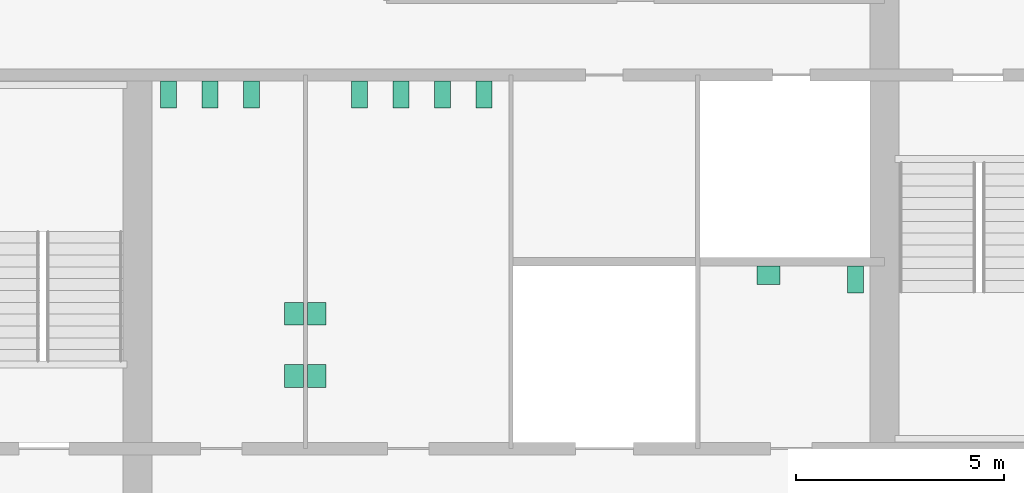
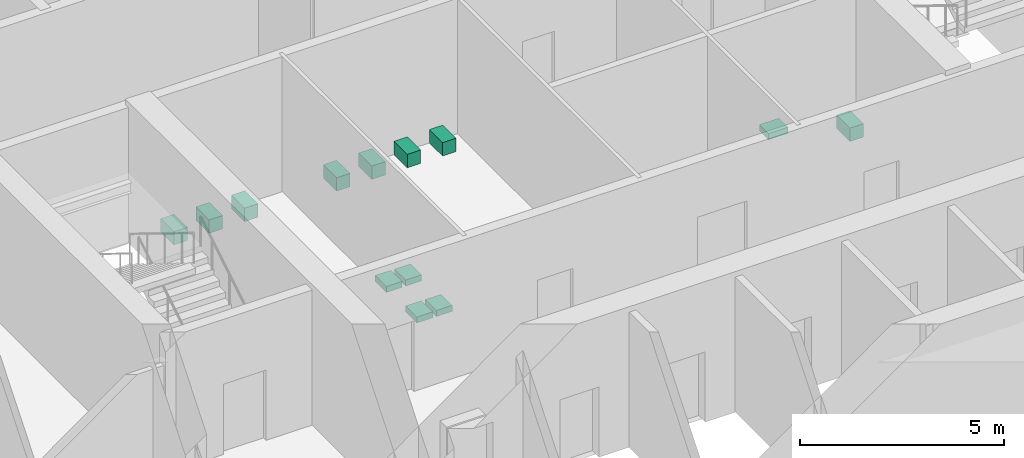
# One storey, part 12 of 12: 13 sanitary terminals.
"""IFC4 building model written with IfcOpenShell, lengths in metres."""

from ifc_helpers import new_model, si_unit, direction, frame, origin, origin_2d, place, context, subcontext, project, spatial, rectangle, extrude, material, type_object, element, save


model = new_model("IFC4")

# Units and contexts
model_context = context("Model", 3, precision=1e-05, world=origin(), true_north=direction((0.0, 1.0)))
body_context = subcontext(model_context, "Body", "Model", "MODEL_VIEW")
ifc_project = project(units=[si_unit("LENGTHUNIT", "METRE"), si_unit("AREAUNIT", "SQUARE_METRE"), si_unit("VOLUMEUNIT", "CUBIC_METRE"), si_unit("PLANEANGLEUNIT", "RADIAN"), si_unit("MASSUNIT", "GRAM", prefix="KILO")], contexts=[model_context])

# Site, building, storey
site_placement = place(None, origin())
site = spatial("IfcSite", under=ifc_project, at=site_placement, CompositionType="ELEMENT")
building_placement = place(site_placement, origin())
building = spatial("IfcBuilding", under=site, at=building_placement, Name="Corais Broadcast Tower", CompositionType="ELEMENT")
storey_placement = place(building_placement, frame((0.0, 0.0, 50.0)))
storey = spatial("IfcBuildingStorey", under=building, at=storey_placement, Name="L10", CompositionType="ELEMENT", Elevation=50.0)

# Sanitary terminals
ifc_material_1 = material(Name="Vitreous china", Category="ceramic")
sanitary_terminal_type_1 = type_object("IfcSanitaryTerminalType", Name="WC pan 380x650", PredefinedType="TOILETPAN", material=ifc_material_1)
for number, where, z_axis, x_axis, name in (
    (1, (18.75, 31.02490234375, 0.0), (0.0, 0.0, 1.0), (1.0, 0.0, 0.0), "SW1 WC pan, male toilets L10"),
    (2, (19.75, 31.02490234375, 0.0), (0.0, 0.0, 1.0), (1.0, 0.0, 0.0), "SW1 WC pan, male toilets L10"),
    (3, (20.75, 31.02490234375, 0.0), (0.0, 0.0, 1.0), (1.0, 0.0, 0.0), "SW1 WC pan, male toilets L10"),
    (4, (23.35009765625, 31.02490234375, 0.0), (0.0, 0.0, 1.0), (1.0, 0.0, 0.0), "SW1 WC pan, female toilets L10"),
    (5, (24.35009765625, 31.02490234375, 0.0), (0.0, 0.0, 1.0), (1.0, 0.0, 0.0), "SW1 WC pan, female toilets L10"),
    (6, (25.35009765625, 31.02490234375, 0.0), (0.0, 0.0, 1.0), (1.0, 0.0, 0.0), "SW1 WC pan, female toilets L10"),
    (7, (26.35009765625, 31.02490234375, 0.0), (0.0, 0.0, 1.0), (1.0, 0.0, 0.0), "SW1 WC pan, female toilets L10"),
    (8, (35.300048828125, 26.574951171875, 0.0), (0.0, 0.0, 1.0), (1.0, 0.0, 0.0), "SW1 WC pan, accessible WC L10"),
):
    element("IfcSanitaryTerminal", number, at=place(storey_placement, frame(where, z_axis=z_axis, x_axis=x_axis)), inside=storey, type_object=sanitary_terminal_type_1, Name=name, PredefinedType="TOILETPAN", context=body_context, shape_type="SweptSolid", body=[
        extrude(rectangle(XDim=0.3798828125, YDim=0.64990234375, at=origin_2d()), origin(), (0.0, 0.0, 1.0), 0.39990234375),
    ])
ifc_material_2 = material(Name="Vitreous china", Category="ceramic")
sanitary_terminal_type_2 = type_object("IfcSanitaryTerminalType", Name="Wash basin 550x450", PredefinedType="WASHHANDBASIN", material=ifc_material_2)
for number, where, z_axis, x_axis, name in (
    (9, (21.77490234375, 24.25, 0.7001953125), (0.0, 0.0, 1.0), (1.0, 0.0, 0.0), "WB1 wash basin, male toilets L10"),
    (10, (21.77490234375, 25.75, 0.7001953125), (0.0, 0.0, 1.0), (1.0, 0.0, 0.0), "WB1 wash basin, male toilets L10"),
    (11, (22.324951171875, 24.25, 0.7001953125), (0.0, 0.0, 1.0), (1.0, 0.0, 0.0), "WB1 wash basin, female toilets L10"),
    (12, (22.324951171875, 25.75, 0.7001953125), (0.0, 0.0, 1.0), (1.0, 0.0, 0.0), "WB1 wash basin, female toilets L10"),
):
    element("IfcSanitaryTerminal", number, at=place(storey_placement, frame(where, z_axis=z_axis, x_axis=x_axis)), inside=storey, type_object=sanitary_terminal_type_2, Name=name, PredefinedType="WASHHANDBASIN", context=body_context, shape_type="SweptSolid", body=[
        extrude(rectangle(XDim=0.449951171875, YDim=0.550048828125, at=origin_2d()), origin(), (0.0, 0.0, 1.0), 0.179931640625),
    ])
sanitary_terminal_placement = place(storey_placement, frame((33.199951171875, 26.675048828125, 0.7001953125), z_axis=(0.0, 0.0, 1.0), x_axis=(1.0, 0.0, 0.0)))
element("IfcSanitaryTerminal", 13, at=sanitary_terminal_placement, inside=storey, type_object=sanitary_terminal_type_2, Name="WB1 wash basin, accessible WC L10", PredefinedType="WASHHANDBASIN", context=body_context, shape_type="SweptSolid", body=[
    extrude(rectangle(XDim=0.550048828125, YDim=0.449951171875, at=origin_2d()), origin(), (0.0, 0.0, 1.0), 0.179931640625),
])

save(model, "model.ifc")
